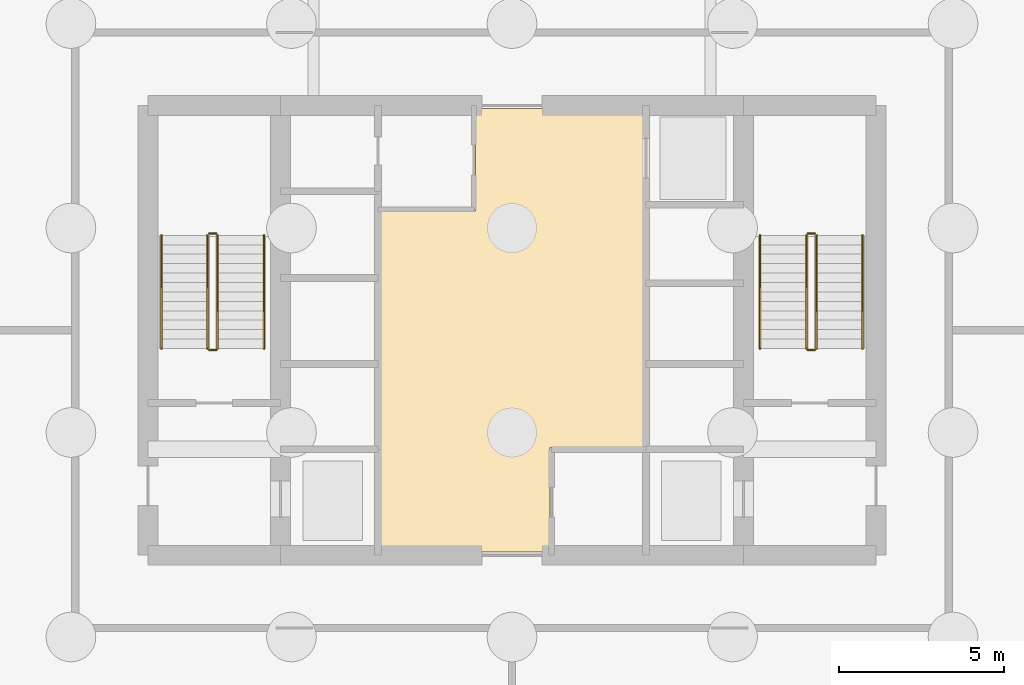
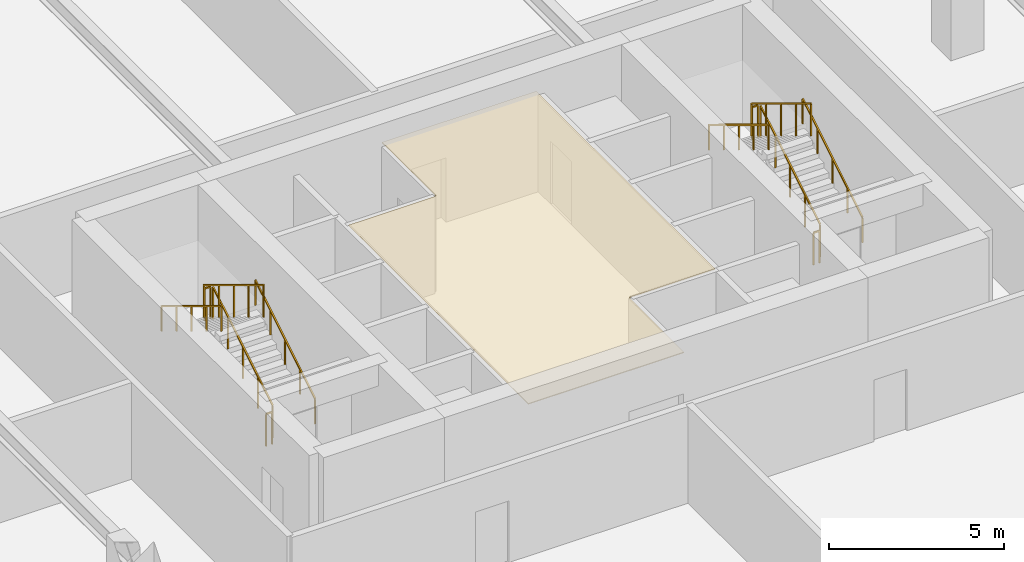
# One storey, part 7 of 8: 12 railings, 1 covering.
"""IFC4 building model written with IfcOpenShell, lengths in metres."""

from ifc_helpers import new_model, si_unit, direction, frame, origin, origin_2d, place, context, subcontext, project, spatial, polyline, rectangle, outline, extrude, material, layer, layer_set, type_object, element, save


model = new_model("IFC4")

# Units and contexts
model_context = context("Model", 3, precision=1e-05, world=origin(), true_north=direction((0.0, 1.0)))
body_context = subcontext(model_context, "Body", "Model", "MODEL_VIEW")
ifc_project = project(units=[si_unit("LENGTHUNIT", "METRE"), si_unit("AREAUNIT", "SQUARE_METRE"), si_unit("VOLUMEUNIT", "CUBIC_METRE"), si_unit("PLANEANGLEUNIT", "RADIAN"), si_unit("MASSUNIT", "GRAM", prefix="KILO")], contexts=[model_context])

# Site, building, storey
site_placement = place(None, origin())
site = spatial("IfcSite", under=ifc_project, at=site_placement, CompositionType="ELEMENT")
building_placement = place(site_placement, origin())
building = spatial("IfcBuilding", under=site, at=building_placement, Name="Sarneth Arch Tower", CompositionType="ELEMENT")
storey_placement = place(building_placement, frame((0.0, 0.0, -9.0)))
storey = spatial("IfcBuildingStorey", under=building, at=storey_placement, Name="B02", CompositionType="ELEMENT", Elevation=-9.0)

# Covering
ifc_material_1 = material(Name="Perforated acoustic gypsum ceiling board")
ifc_layer = layer(ifc_material_1, 0.02490234375)
ifc_layer_set = layer_set([ifc_layer], Name="Perforated acoustic gypsum ceiling board")
covering_type = type_object("IfcCoveringType", Name="COV-CEIL-GYP", PredefinedType="CEILING", material=ifc_layer_set)
covering_placement = place(storey_placement, frame((0.0, 0.0, 3.35009765625)))
element("IfcCovering", 1, at=covering_placement, inside=storey, type_object=covering_type, Name="B02 Lift lobby acoustic ceiling", PredefinedType="CEILING", context=body_context, shape_type="SweptSolid", body=[
    extrude(outline(polyline([(49.14990234375, 38.449951171875), (49.14990234375, 35.300048828125), (44.0, 35.300048828125), (44.0, 45.60009765625), (46.89990234375, 45.60009765625), (46.89990234375, 48.699951171875), (52.0, 48.699951171875), (52.0, 38.449951171875), (49.14990234375, 38.449951171875)])), origin(), (0.0, 0.0, 1.0), 0.02978515625),
])

# Railings
ifc_material_2 = material(Name="Brushed Stainless Steel 304 tubular handrail", Category="steel")
railing_type_1 = type_object("IfcRailingType", Name="RAIL-HANDRAIL-900", PredefinedType="HANDRAIL", material=ifc_material_2)
railing_1_placement = place(storey_placement, frame((40.5, 41.449951171875, 0.173095703125)))
element("IfcRailing", 2, at=railing_1_placement, inside=storey, type_object=railing_type_1, Name="B02 ST-1 stair handrail 1", PredefinedType="HANDRAIL", context=body_context, shape_type="SweptSolid", body=[
    extrude(rectangle(XDim=0.048095703125, YDim=0.048095703125, at=origin_2d()), frame((0.0, 0.0, 0.8759765625), z_axis=(0.0, 0.854745945586, 0.519046595696), x_axis=(-1.0, 0.0, 0.0)), (0.0, 0.0, 1.0), 4.00146484375),
    extrude(rectangle(XDim=0.0419921875, YDim=0.0419921875, at=origin_2d()), origin(), (0.0, 0.0, 1.0), 0.851806640625),
    extrude(rectangle(XDim=0.0419921875, YDim=0.0419921875, at=origin_2d()), frame((0.0, 0.85498046875, 0.519287109375)), (0.0, 0.0, 1.0), 0.851806640625),
    extrude(rectangle(XDim=0.0419921875, YDim=0.0419921875, at=origin_2d()), frame((0.0, 1.7099609375, 1.03857421875)), (0.0, 0.0, 1.0), 0.851806640625),
    extrude(rectangle(XDim=0.0419921875, YDim=0.0419921875, at=origin_2d()), frame((0.0, 2.565185546875, 1.5576171875)), (0.0, 0.0, 1.0), 0.851806640625),
    extrude(rectangle(XDim=0.0419921875, YDim=0.0419921875, at=origin_2d()), frame((0.0, 3.420166015625, 2.076904296875)), (0.0, 0.0, 1.0), 0.851806640625),
])
railing_2_placement = place(storey_placement, frame((37.39990234375, 44.8701171875, 2.423095703125)))
element("IfcRailing", 3, at=railing_2_placement, inside=storey, type_object=railing_type_1, Name="B02 ST-1 stair handrail 2", PredefinedType="HANDRAIL", context=body_context, shape_type="SweptSolid", body=[
    extrude(rectangle(XDim=0.048095703125, YDim=0.048095703125, at=origin_2d()), frame((0.0, 0.0, 0.8759765625), z_axis=(0.0, -0.854745945586, 0.519046595696), x_axis=(1.0, 0.0, 0.0)), (0.0, 0.0, 1.0), 4.00146484375),
    extrude(rectangle(XDim=0.0419921875, YDim=0.0419921875, at=origin_2d()), origin(), (0.0, 0.0, 1.0), 0.851806640625),
    extrude(rectangle(XDim=0.0419921875, YDim=0.0419921875, at=origin_2d()), frame((0.0, -0.85498046875, 0.519287109375)), (0.0, 0.0, 1.0), 0.851806640625),
    extrude(rectangle(XDim=0.0419921875, YDim=0.0419921875, at=origin_2d()), frame((0.0, -1.7099609375, 1.03857421875)), (0.0, 0.0, 1.0), 0.851806640625),
    extrude(rectangle(XDim=0.0419921875, YDim=0.0419921875, at=origin_2d()), frame((0.0, -2.565185546875, 1.5576171875)), (0.0, 0.0, 1.0), 0.851806640625),
    extrude(rectangle(XDim=0.0419921875, YDim=0.0419921875, at=origin_2d()), frame((0.0, -3.420166015625, 2.076904296875)), (0.0, 0.0, 1.0), 0.851806640625),
])
railing_3_placement = place(storey_placement, frame((58.60009765625, 41.449951171875, 0.173095703125)))
element("IfcRailing", 4, at=railing_3_placement, inside=storey, type_object=railing_type_1, Name="B02 ST-2 stair handrail 1", PredefinedType="HANDRAIL", context=body_context, shape_type="SweptSolid", body=[
    extrude(rectangle(XDim=0.048095703125, YDim=0.048095703125, at=origin_2d()), frame((0.0, 0.0, 0.8759765625), z_axis=(0.0, 0.854745945586, 0.519046595696), x_axis=(-1.0, 0.0, 0.0)), (0.0, 0.0, 1.0), 4.00146484375),
    extrude(rectangle(XDim=0.0419921875, YDim=0.0419921875, at=origin_2d()), origin(), (0.0, 0.0, 1.0), 0.851806640625),
    extrude(rectangle(XDim=0.0419921875, YDim=0.0419921875, at=origin_2d()), frame((0.0, 0.85498046875, 0.519287109375)), (0.0, 0.0, 1.0), 0.851806640625),
    extrude(rectangle(XDim=0.0419921875, YDim=0.0419921875, at=origin_2d()), frame((0.0, 1.7099609375, 1.03857421875)), (0.0, 0.0, 1.0), 0.851806640625),
    extrude(rectangle(XDim=0.0419921875, YDim=0.0419921875, at=origin_2d()), frame((0.0, 2.565185546875, 1.5576171875)), (0.0, 0.0, 1.0), 0.851806640625),
    extrude(rectangle(XDim=0.0419921875, YDim=0.0419921875, at=origin_2d()), frame((0.0, 3.420166015625, 2.076904296875)), (0.0, 0.0, 1.0), 0.851806640625),
])
railing_4_placement = place(storey_placement, frame((55.5, 44.8701171875, 2.423095703125)))
element("IfcRailing", 5, at=railing_4_placement, inside=storey, type_object=railing_type_1, Name="B02 ST-2 stair handrail 2", PredefinedType="HANDRAIL", context=body_context, shape_type="SweptSolid", body=[
    extrude(rectangle(XDim=0.048095703125, YDim=0.048095703125, at=origin_2d()), frame((0.0, 0.0, 0.8759765625), z_axis=(0.0, -0.854745945586, 0.519046595696), x_axis=(1.0, 0.0, 0.0)), (0.0, 0.0, 1.0), 4.00146484375),
    extrude(rectangle(XDim=0.0419921875, YDim=0.0419921875, at=origin_2d()), origin(), (0.0, 0.0, 1.0), 0.851806640625),
    extrude(rectangle(XDim=0.0419921875, YDim=0.0419921875, at=origin_2d()), frame((0.0, -0.85498046875, 0.519287109375)), (0.0, 0.0, 1.0), 0.851806640625),
    extrude(rectangle(XDim=0.0419921875, YDim=0.0419921875, at=origin_2d()), frame((0.0, -1.7099609375, 1.03857421875)), (0.0, 0.0, 1.0), 0.851806640625),
    extrude(rectangle(XDim=0.0419921875, YDim=0.0419921875, at=origin_2d()), frame((0.0, -2.565185546875, 1.5576171875)), (0.0, 0.0, 1.0), 0.851806640625),
    extrude(rectangle(XDim=0.0419921875, YDim=0.0419921875, at=origin_2d()), frame((0.0, -3.420166015625, 2.076904296875)), (0.0, 0.0, 1.0), 0.851806640625),
])
ifc_material_3 = material(Name="Painted Steel S275 stair well guard", Category="steel")
railing_type_2 = type_object("IfcRailingType", Name="RAIL-STAIR-GUARD", PredefinedType="GUARDRAIL", material=ifc_material_3)
railing_5_placement = place(storey_placement, frame((39.10009765625, 41.449951171875, 0.173095703125)))
element("IfcRailing", 6, at=railing_5_placement, inside=storey, type_object=railing_type_2, Name="B02 ST-1 stair guard 1", PredefinedType="GUARDRAIL", context=body_context, shape_type="SweptSolid", body=[
    extrude(rectangle(XDim=0.048095703125, YDim=0.048095703125, at=origin_2d()), frame((0.0, 0.0, 1.1259765625), z_axis=(0.0, 0.854745945586, 0.519046595696), x_axis=(-1.0, 0.0, 0.0)), (0.0, 0.0, 1.0), 4.00146484375),
    extrude(rectangle(XDim=0.0419921875, YDim=0.0419921875, at=origin_2d()), origin(), (0.0, 0.0, 1.0), 1.101806640625),
    extrude(rectangle(XDim=0.0419921875, YDim=0.0419921875, at=origin_2d()), frame((0.0, 0.85498046875, 0.519287109375)), (0.0, 0.0, 1.0), 1.101806640625),
    extrude(rectangle(XDim=0.0419921875, YDim=0.0419921875, at=origin_2d()), frame((0.0, 1.7099609375, 1.03857421875)), (0.0, 0.0, 1.0), 1.101806640625),
    extrude(rectangle(XDim=0.0419921875, YDim=0.0419921875, at=origin_2d()), frame((0.0, 2.565185546875, 1.5576171875)), (0.0, 0.0, 1.0), 1.101806640625),
    extrude(rectangle(XDim=0.0419921875, YDim=0.0419921875, at=origin_2d()), frame((0.0, 3.420166015625, 2.076904296875)), (0.0, 0.0, 1.0), 1.101806640625),
])
railing_6_placement = place(storey_placement, frame((39.050048828125, 44.919921875, 2.25)))
element("IfcRailing", 7, at=railing_6_placement, inside=storey, type_object=railing_type_2, Name="B02 ST-1 stair guard 2", PredefinedType="GUARDRAIL", context=body_context, shape_type="SweptSolid", body=[
    extrude(rectangle(XDim=0.048095703125, YDim=0.048095703125, at=origin_2d()), frame((0.0, 0.0, 1.1259765625), z_axis=(-1.0, 0.0, 0.0), x_axis=(0.0, -1.0, 0.0)), (0.0, 0.0, 1.0), 0.199951171875),
    extrude(rectangle(XDim=0.0419921875, YDim=0.0419921875, at=origin_2d()), origin(), (0.0, 0.0, 1.0), 1.101806640625),
    extrude(rectangle(XDim=0.0419921875, YDim=0.0419921875, at=origin_2d()), frame((-0.199951171875, 0.0, 0.0)), (0.0, 0.0, 1.0), 1.101806640625),
])
railing_7_placement = place(storey_placement, frame((38.800048828125, 44.8701171875, 2.423095703125)))
element("IfcRailing", 8, at=railing_7_placement, inside=storey, type_object=railing_type_2, Name="B02 ST-1 stair guard 3", PredefinedType="GUARDRAIL", context=body_context, shape_type="SweptSolid", body=[
    extrude(rectangle(XDim=0.048095703125, YDim=0.048095703125, at=origin_2d()), frame((0.0, 0.0, 1.1259765625), z_axis=(0.0, -0.854745945586, 0.519046595696), x_axis=(1.0, 0.0, 0.0)), (0.0, 0.0, 1.0), 4.00146484375),
    extrude(rectangle(XDim=0.0419921875, YDim=0.0419921875, at=origin_2d()), origin(), (0.0, 0.0, 1.0), 1.101806640625),
    extrude(rectangle(XDim=0.0419921875, YDim=0.0419921875, at=origin_2d()), frame((0.0, -0.85498046875, 0.519287109375)), (0.0, 0.0, 1.0), 1.101806640625),
    extrude(rectangle(XDim=0.0419921875, YDim=0.0419921875, at=origin_2d()), frame((0.0, -1.7099609375, 1.03857421875)), (0.0, 0.0, 1.0), 1.101806640625),
    extrude(rectangle(XDim=0.0419921875, YDim=0.0419921875, at=origin_2d()), frame((0.0, -2.565185546875, 1.5576171875)), (0.0, 0.0, 1.0), 1.101806640625),
    extrude(rectangle(XDim=0.0419921875, YDim=0.0419921875, at=origin_2d()), frame((0.0, -3.420166015625, 2.076904296875)), (0.0, 0.0, 1.0), 1.101806640625),
])
railing_8_placement = place(storey_placement, frame((39.050048828125, 41.39990234375, 0.0)))
element("IfcRailing", 9, at=railing_8_placement, inside=storey, type_object=railing_type_2, Name="B02 ST-1 stair guard 4", PredefinedType="GUARDRAIL", context=body_context, shape_type="SweptSolid", body=[
    extrude(rectangle(XDim=0.048095703125, YDim=0.048095703125, at=origin_2d()), frame((0.0, 0.0, 1.1259765625), z_axis=(-1.0, 0.0, 0.0), x_axis=(0.0, -1.0, 0.0)), (0.0, 0.0, 1.0), 0.199951171875),
    extrude(rectangle(XDim=0.0419921875, YDim=0.0419921875, at=origin_2d()), origin(), (0.0, 0.0, 1.0), 1.101806640625),
    extrude(rectangle(XDim=0.0419921875, YDim=0.0419921875, at=origin_2d()), frame((-0.199951171875, 0.0, 0.0)), (0.0, 0.0, 1.0), 1.101806640625),
])
railing_9_placement = place(storey_placement, frame((57.199951171875, 41.449951171875, 0.173095703125)))
element("IfcRailing", 10, at=railing_9_placement, inside=storey, type_object=railing_type_2, Name="B02 ST-2 stair guard 1", PredefinedType="GUARDRAIL", context=body_context, shape_type="SweptSolid", body=[
    extrude(rectangle(XDim=0.048095703125, YDim=0.048095703125, at=origin_2d()), frame((0.0, 0.0, 1.1259765625), z_axis=(0.0, 0.854745945586, 0.519046595696), x_axis=(-1.0, 0.0, 0.0)), (0.0, 0.0, 1.0), 4.00146484375),
    extrude(rectangle(XDim=0.0419921875, YDim=0.0419921875, at=origin_2d()), origin(), (0.0, 0.0, 1.0), 1.101806640625),
    extrude(rectangle(XDim=0.0419921875, YDim=0.0419921875, at=origin_2d()), frame((0.0, 0.85498046875, 0.519287109375)), (0.0, 0.0, 1.0), 1.101806640625),
    extrude(rectangle(XDim=0.0419921875, YDim=0.0419921875, at=origin_2d()), frame((0.0, 1.7099609375, 1.03857421875)), (0.0, 0.0, 1.0), 1.101806640625),
    extrude(rectangle(XDim=0.0419921875, YDim=0.0419921875, at=origin_2d()), frame((0.0, 2.565185546875, 1.5576171875)), (0.0, 0.0, 1.0), 1.101806640625),
    extrude(rectangle(XDim=0.0419921875, YDim=0.0419921875, at=origin_2d()), frame((0.0, 3.420166015625, 2.076904296875)), (0.0, 0.0, 1.0), 1.101806640625),
])
railing_10_placement = place(storey_placement, frame((57.14990234375, 44.919921875, 2.25)))
element("IfcRailing", 11, at=railing_10_placement, inside=storey, type_object=railing_type_2, Name="B02 ST-2 stair guard 2", PredefinedType="GUARDRAIL", context=body_context, shape_type="SweptSolid", body=[
    extrude(rectangle(XDim=0.048095703125, YDim=0.048095703125, at=origin_2d()), frame((0.0, 0.0, 1.1259765625), z_axis=(-1.0, 0.0, 0.0), x_axis=(0.0, -1.0, 0.0)), (0.0, 0.0, 1.0), 0.199951171875),
    extrude(rectangle(XDim=0.0419921875, YDim=0.0419921875, at=origin_2d()), origin(), (0.0, 0.0, 1.0), 1.101806640625),
    extrude(rectangle(XDim=0.0419921875, YDim=0.0419921875, at=origin_2d()), frame((-0.199951171875, 0.0, 0.0)), (0.0, 0.0, 1.0), 1.101806640625),
])
railing_11_placement = place(storey_placement, frame((56.89990234375, 44.8701171875, 2.423095703125)))
element("IfcRailing", 12, at=railing_11_placement, inside=storey, type_object=railing_type_2, Name="B02 ST-2 stair guard 3", PredefinedType="GUARDRAIL", context=body_context, shape_type="SweptSolid", body=[
    extrude(rectangle(XDim=0.048095703125, YDim=0.048095703125, at=origin_2d()), frame((0.0, 0.0, 1.1259765625), z_axis=(0.0, -0.854745945586, 0.519046595696), x_axis=(1.0, 0.0, 0.0)), (0.0, 0.0, 1.0), 4.00146484375),
    extrude(rectangle(XDim=0.0419921875, YDim=0.0419921875, at=origin_2d()), origin(), (0.0, 0.0, 1.0), 1.101806640625),
    extrude(rectangle(XDim=0.0419921875, YDim=0.0419921875, at=origin_2d()), frame((0.0, -0.85498046875, 0.519287109375)), (0.0, 0.0, 1.0), 1.101806640625),
    extrude(rectangle(XDim=0.0419921875, YDim=0.0419921875, at=origin_2d()), frame((0.0, -1.7099609375, 1.03857421875)), (0.0, 0.0, 1.0), 1.101806640625),
    extrude(rectangle(XDim=0.0419921875, YDim=0.0419921875, at=origin_2d()), frame((0.0, -2.565185546875, 1.5576171875)), (0.0, 0.0, 1.0), 1.101806640625),
    extrude(rectangle(XDim=0.0419921875, YDim=0.0419921875, at=origin_2d()), frame((0.0, -3.420166015625, 2.076904296875)), (0.0, 0.0, 1.0), 1.101806640625),
])
railing_12_placement = place(storey_placement, frame((57.14990234375, 41.39990234375, 0.0)))
element("IfcRailing", 13, at=railing_12_placement, inside=storey, type_object=railing_type_2, Name="B02 ST-2 stair guard 4", PredefinedType="GUARDRAIL", context=body_context, shape_type="SweptSolid", body=[
    extrude(rectangle(XDim=0.048095703125, YDim=0.048095703125, at=origin_2d()), frame((0.0, 0.0, 1.1259765625), z_axis=(-1.0, 0.0, 0.0), x_axis=(0.0, -1.0, 0.0)), (0.0, 0.0, 1.0), 0.199951171875),
    extrude(rectangle(XDim=0.0419921875, YDim=0.0419921875, at=origin_2d()), origin(), (0.0, 0.0, 1.0), 1.101806640625),
    extrude(rectangle(XDim=0.0419921875, YDim=0.0419921875, at=origin_2d()), frame((-0.199951171875, 0.0, 0.0)), (0.0, 0.0, 1.0), 1.101806640625),
])

save(model, "model.ifc")
